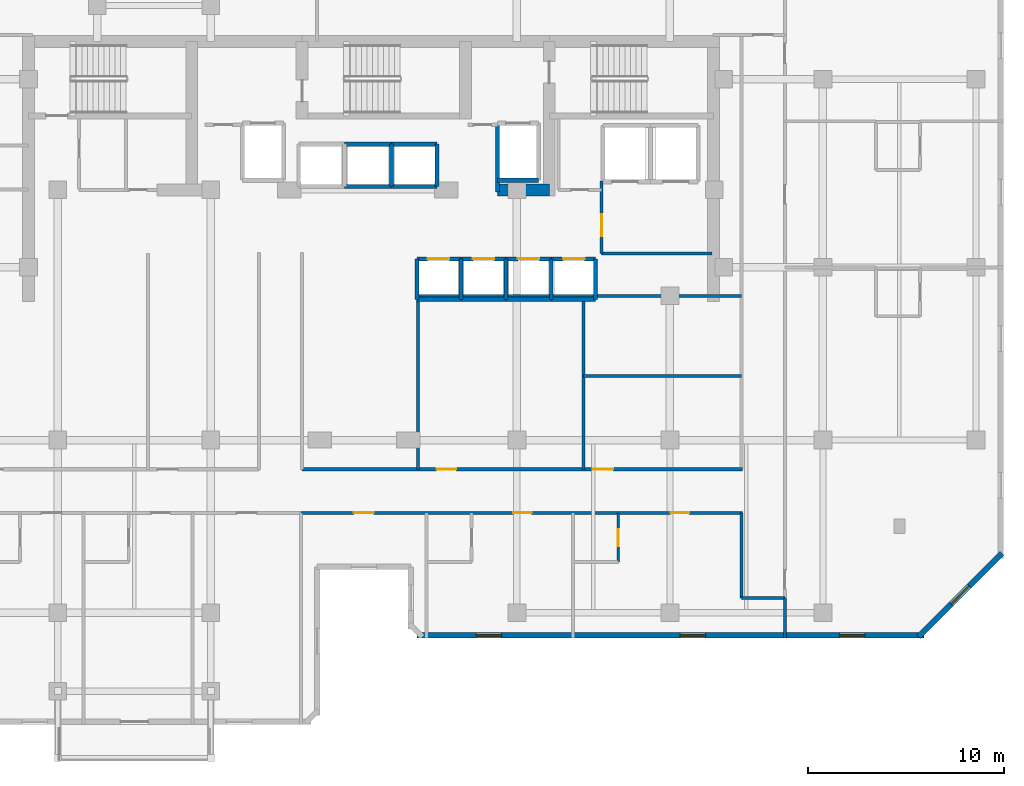
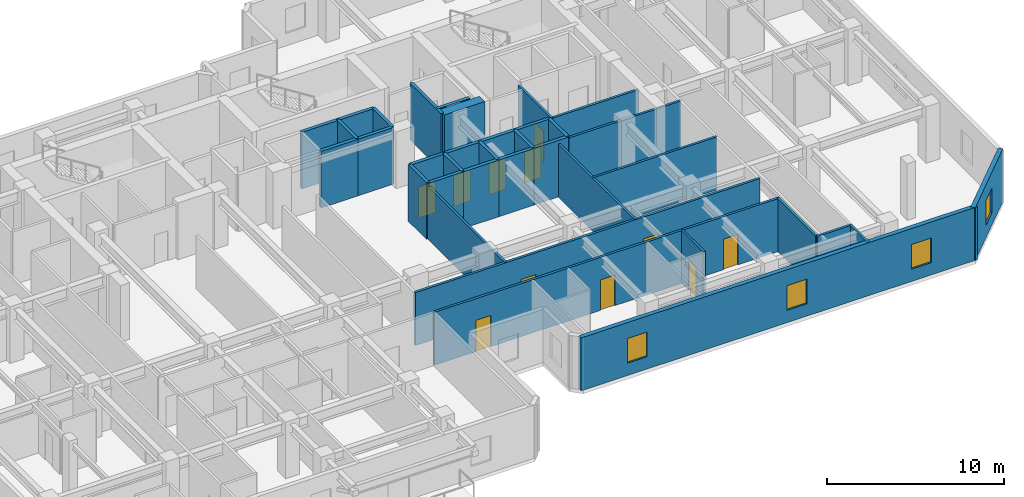
# One storey, part 6 of 11: 36 walls, 11 doors, 4 windows, 15 openings.
"""IFC4 building model written with IfcOpenShell, lengths in metres."""

from ifc_helpers import new_model, si_unit, direction, frame, frame_2d, origin, place, context, subcontext, project, spatial, rectangle, extrude, material, layer, layer_set, type_object, element, fill, save


model = new_model("IFC4")

# Units and contexts
model_context = context("Model", 3, precision=1e-05, world=origin(), true_north=direction((0.0, 1.0)))
body_context = subcontext(model_context, "Body", "Model", "MODEL_VIEW")
ifc_project = project(units=[si_unit("LENGTHUNIT", "METRE"), si_unit("AREAUNIT", "SQUARE_METRE"), si_unit("VOLUMEUNIT", "CUBIC_METRE"), si_unit("PLANEANGLEUNIT", "RADIAN"), si_unit("MASSUNIT", "GRAM", prefix="KILO")], contexts=[model_context])

# Site, building, storey
site_placement = place(None, origin())
site = spatial("IfcSite", under=ifc_project, at=site_placement, CompositionType="ELEMENT")
building_placement = place(site_placement, origin())
building = spatial("IfcBuilding", under=site, at=building_placement, Name="Kestravale Grand Hotel", CompositionType="ELEMENT")
storey_placement = place(building_placement, frame((0.0, 0.0, 200.699951171875)))
storey = spatial("IfcBuildingStorey", under=building, at=storey_placement, Name="L50", CompositionType="ELEMENT", Elevation=200.699951171875)

# Wall
ifc_material_1 = material(Name="Concrete f'c 50 MPa", Category="concrete")
ifc_layer_1 = layer(ifc_material_1, 0.60009765625)
ifc_layer_set_1 = layer_set([ifc_layer_1], Name="EW-CORE-600")
wall_type_1 = type_object("IfcWallType", Name="EW-CORE-600", PredefinedType="SHEAR", material=ifc_layer_set_1)
wall_1_placement = place(storey_placement, frame((45.81005859375, 32.75, 0.0), z_axis=(0.0, 0.0, 1.0), x_axis=(1.0, 0.0, 0.0)))
element("IfcWall", 1, at=wall_1_placement, inside=storey, type_object=wall_type_1, Name="L50 core shear wall S2", PredefinedType="SHEAR", context=body_context, shape_type="SweptSolid", body=[
    extrude(rectangle(XDim=2.639892578125, YDim=0.60009765625, at=frame_2d((1.31982421875, 0.0))), origin(), (0.0, 0.0, 1.0), 3.900146484375),
])

# Wall, openings, windows
ifc_material_2 = material(Name="Precast concrete f'c 45 MPa", Category="concrete")
ifc_layer_2 = layer(ifc_material_2, 0.280029296875)
ifc_layer_set_2 = layer_set([ifc_layer_2], Name="EW-PREC-280")
wall_type_2 = type_object("IfcWallType", Name="EW-PREC-280", PredefinedType="SOLIDWALL", material=ifc_layer_set_2)
wall_2_placement = place(storey_placement, frame((41.7099609375, 10.0400390625, 0.0), z_axis=(0.0, 0.0, 1.0), x_axis=(1.0, 0.0, 0.0)))
wall_2 = element("IfcWall", 2, at=wall_2_placement, inside=storey, type_object=wall_type_2, Name="L50 fluted precast facade wall 7", PredefinedType="SOLIDWALL", context=body_context, shape_type="SweptSolid", body=[
    extrude(rectangle(XDim=25.830078125, YDim=0.280029296875, at=frame_2d((12.9150390625, 0.0))), origin(), (0.0, 0.0, 1.0), 3.650146484375),
])
opening_1_placement = place(wall_2_placement, frame((3.0048828125, 0.0, 0.85009765625)))
opening_1 = element("IfcOpeningElement", 3, at=opening_1_placement, cuts=wall_2, Name="Opening W-GUEST-1300", PredefinedType="OPENING", context=body_context, shape_type="SweptSolid", body=[
    extrude(rectangle(XDim=1.300048828125, YDim=1.699951171875, at=frame_2d((0.64990234375, 0.85009765625))), frame((0.0, 0.14990234375, 0.0), z_axis=(0.0, -1.0, 0.0), x_axis=(1.0, 0.0, 0.0)), (0.0, 0.0, 1.0), 0.300048828125),
])
opening_2_placement = place(wall_2_placement, frame((13.4150390625, 0.0, 0.85009765625)))
opening_2 = element("IfcOpeningElement", 4, at=opening_2_placement, cuts=wall_2, Name="Opening W-GUEST-1300", PredefinedType="OPENING", context=body_context, shape_type="SweptSolid", body=[
    extrude(rectangle(XDim=1.300048828125, YDim=1.699951171875, at=frame_2d((0.64990234375, 0.85009765625))), frame((0.0, 0.14990234375, 0.0), z_axis=(0.0, -1.0, 0.0), x_axis=(1.0, 0.0, 0.0)), (0.0, 0.0, 1.0), 0.300048828125),
])
opening_3_placement = place(wall_2_placement, frame((21.52490234375, 0.0, 0.85009765625)))
opening_3 = element("IfcOpeningElement", 5, at=opening_3_placement, cuts=wall_2, Name="Opening W-GUEST-1300", PredefinedType="OPENING", context=body_context, shape_type="SweptSolid", body=[
    extrude(rectangle(XDim=1.300048828125, YDim=1.699951171875, at=frame_2d((0.64990234375, 0.85009765625))), frame((0.0, 0.14990234375, 0.0), z_axis=(0.0, -1.0, 0.0), x_axis=(1.0, 0.0, 0.0)), (0.0, 0.0, 1.0), 0.300048828125),
])
ifc_material_3 = material(Name="Insulated low-E double glazing in aluminium frame", Category="aluminium")
window_type = type_object("IfcWindowType", Name="W-GUEST-1300", PartitioningType="SINGLE_PANEL", PredefinedType="WINDOW", material=ifc_material_3)
window_1_placement = place(opening_1_placement, origin())
window_1 = element("IfcWindow", 6, at=window_1_placement, inside=storey, type_object=window_type, Name="L50 exterior window 7.1", OverallHeight=1.699951171875, OverallWidth=1.300048828125, PartitioningType="SINGLE_PANEL", PredefinedType="WINDOW", context=body_context, shape_type="SweptSolid", body=[
    extrude(rectangle(XDim=1.300048828125, YDim=1.699951171875, at=frame_2d((0.64990234375, 0.85009765625))), frame((0.0, 0.030029296875, 0.0), z_axis=(0.0, -1.0, 0.0), x_axis=(1.0, 0.0, 0.0)), (0.0, 0.0, 1.0), 0.06005859375),
])
fill(opening_1, window_1)
window_2_placement = place(opening_2_placement, origin())
window_2 = element("IfcWindow", 7, at=window_2_placement, inside=storey, type_object=window_type, Name="L50 exterior window 7.2", OverallHeight=1.699951171875, OverallWidth=1.300048828125, PartitioningType="SINGLE_PANEL", PredefinedType="WINDOW", context=body_context, shape_type="SweptSolid", body=[
    extrude(rectangle(XDim=1.300048828125, YDim=1.699951171875, at=frame_2d((0.64990234375, 0.85009765625))), frame((0.0, 0.030029296875, 0.0), z_axis=(0.0, -1.0, 0.0), x_axis=(1.0, 0.0, 0.0)), (0.0, 0.0, 1.0), 0.06005859375),
])
fill(opening_2, window_2)
window_3_placement = place(opening_3_placement, origin())
window_3 = element("IfcWindow", 8, at=window_3_placement, inside=storey, type_object=window_type, Name="L50 exterior window 7.3", OverallHeight=1.699951171875, OverallWidth=1.300048828125, PartitioningType="SINGLE_PANEL", PredefinedType="WINDOW", context=body_context, shape_type="SweptSolid", body=[
    extrude(rectangle(XDim=1.300048828125, YDim=1.699951171875, at=frame_2d((0.64990234375, 0.85009765625))), frame((0.0, 0.030029296875, 0.0), z_axis=(0.0, -1.0, 0.0), x_axis=(1.0, 0.0, 0.0)), (0.0, 0.0, 1.0), 0.06005859375),
])
fill(opening_3, window_3)

# Wall, opening, window
wall_3_placement = place(storey_placement, frame((67.272705078125, 9.970703125, 0.0), z_axis=(0.0, 0.0, 1.0), x_axis=(0.707106781187, 0.707106781187, 0.0)))
wall_3 = element("IfcWall", 9, at=wall_3_placement, inside=storey, type_object=wall_type_2, Name="L50 fluted precast facade wall 8", PredefinedType="SOLIDWALL", context=body_context, shape_type="SweptSolid", body=[
    extrude(rectangle(XDim=6.019775390625, YDim=0.280029296875, at=frame_2d((3.009765625, 0.0))), origin(), (0.0, 0.0, 1.0), 3.650146484375),
])
opening_4_placement = place(wall_3_placement, frame((2.35986328125, 0.0, 0.85009765625)))
opening_4 = element("IfcOpeningElement", 10, at=opening_4_placement, cuts=wall_3, Name="Opening W-GUEST-1300", PredefinedType="OPENING", context=body_context, shape_type="SweptSolid", body=[
    extrude(rectangle(XDim=1.300048828125, YDim=1.699951171875, at=frame_2d((0.64990234375, 0.85009765625))), frame((0.0, 0.14990234375, 0.0), z_axis=(0.0, -1.0, 0.0), x_axis=(1.0, 0.0, 0.0)), (0.0, 0.0, 1.0), 0.300048828125),
])
window_4_placement = place(opening_4_placement, origin())
window_4 = element("IfcWindow", 11, at=window_4_placement, inside=storey, type_object=window_type, Name="L50 exterior window 8.1", OverallHeight=1.699951171875, OverallWidth=1.300048828125, PartitioningType="SINGLE_PANEL", PredefinedType="WINDOW", context=body_context, shape_type="SweptSolid", body=[
    extrude(rectangle(XDim=1.300048828125, YDim=1.699951171875, at=frame_2d((0.64990234375, 0.85009765625))), frame((0.0, 0.030029296875, 0.0), z_axis=(0.0, -1.0, 0.0), x_axis=(1.0, 0.0, 0.0)), (0.0, 0.0, 1.0), 0.06005859375),
])
fill(opening_4, window_4)

# Wall, opening, door
ifc_material_4 = material(Name="Acoustic fire-rated gypsum board partition", Category="other")
ifc_layer_3 = layer(ifc_material_4, 0.159912109375)
ifc_layer_set_3 = layer_set([ifc_layer_3], Name="IW-CORR-160")
wall_type_3 = type_object("IfcWallType", Name="IW-CORR-160", PredefinedType="PARTITIONING", material=ifc_layer_set_3)
wall_4_placement = place(storey_placement, frame((51.1201171875, 29.5, 0.0), z_axis=(0.0, 0.0, 1.0), x_axis=(0.0, 1.0, 0.0)))
wall_4 = element("IfcWall", 12, at=wall_4_placement, inside=storey, type_object=wall_type_3, Name="W-L50-SVCLOB-W", PredefinedType="PARTITIONING", context=body_context, shape_type="SweptSolid", body=[
    extrude(rectangle(XDim=3.699951171875, YDim=0.159912109375, at=frame_2d((1.85009765625, 0.0))), origin(), (0.0, 0.0, 1.0), 3.650146484375),
])
opening_5_placement = place(wall_4_placement, frame((0.89990234375, 0.0, 0.0)))
opening_5 = element("IfcOpeningElement", 13, at=opening_5_placement, cuts=wall_4, Name="Opening D-CORR-1100", PredefinedType="OPENING", context=body_context, shape_type="SweptSolid", body=[
    extrude(rectangle(XDim=1.10009765625, YDim=2.14990234375, at=frame_2d((0.550048828125, 1.074951171875))), frame((0.0, 0.08984375, 0.0), z_axis=(0.0, -1.0, 0.0), x_axis=(1.0, 0.0, 0.0)), (0.0, 0.0, 1.0), 0.179931640625),
])
ifc_material_5 = material(Name="Single-leaf service vestibule fire door", Category="steel")
door_type_1 = type_object("IfcDoorType", Name="D-CORR-1100", OperationType="NOTDEFINED", PredefinedType="DOOR", material=ifc_material_5)
door_1_placement = place(opening_5_placement, origin())
door_1 = element("IfcDoor", 14, at=door_1_placement, inside=storey, type_object=door_type_1, Name="L50 service lift lobby door", OperationType="SINGLE_SWING_LEFT", OverallHeight=2.14990234375, OverallWidth=1.10009765625, PredefinedType="DOOR", context=body_context, shape_type="SweptSolid", body=[
    extrude(rectangle(XDim=1.10009765625, YDim=2.14990234375, at=frame_2d((0.550048828125, 1.074951171875))), frame((0.0, 0.02490234375, 0.0), z_axis=(0.0, -1.0, 0.0), x_axis=(1.0, 0.0, 0.0)), (0.0, 0.0, 1.0), 0.050048828125),
])
fill(opening_5, door_1)

# Wall
wall_5_placement = place(storey_placement, frame((51.1201171875, 29.5, 0.0), z_axis=(0.0, 0.0, 1.0), x_axis=(1.0, 0.0, 0.0)))
element("IfcWall", 15, at=wall_5_placement, inside=storey, type_object=wall_type_3, Name="L50 service lift lobby wall", PredefinedType="PARTITIONING", context=body_context, shape_type="SweptSolid", body=[
    extrude(rectangle(XDim=5.6298828125, YDim=0.159912109375, at=frame_2d((2.81494140625, 0.0))), origin(), (0.0, 0.0, 1.0), 3.650146484375),
])

# Wall, openings, doors
wall_6_placement = place(storey_placement, frame((35.85009765625, 18.510009765625, 0.0), z_axis=(0.0, 0.0, 1.0), x_axis=(1.0, 0.0, 0.0)))
wall_6 = element("IfcWall", 16, at=wall_6_placement, inside=storey, type_object=wall_type_3, Name="W-L50-CE-N", PredefinedType="PARTITIONING", context=body_context, shape_type="SweptSolid", body=[
    extrude(rectangle(XDim=22.449951171875, YDim=0.159912109375, at=frame_2d((11.22509765625, 0.0))), origin(), (0.0, 0.0, 1.0), 3.650146484375),
])
opening_6_placement = place(wall_6_placement, frame((6.85009765625, 0.0, 0.0)))
opening_6 = element("IfcOpeningElement", 17, at=opening_6_placement, cuts=wall_6, Name="Opening D-GUEST-1000", PredefinedType="OPENING", context=body_context, shape_type="SweptSolid", body=[
    extrude(rectangle(XDim=1.0, YDim=2.14990234375, at=frame_2d((0.5, 1.074951171875))), frame((0.0, 0.08984375, 0.0), z_axis=(0.0, -1.0, 0.0), x_axis=(1.0, 0.0, 0.0)), (0.0, 0.0, 1.0), 0.179931640625),
])
opening_7_placement = place(wall_6_placement, frame((14.85009765625, 0.0, 0.0)))
opening_7 = element("IfcOpeningElement", 18, at=opening_7_placement, cuts=wall_6, Name="Opening D-GUEST-1000", PredefinedType="OPENING", context=body_context, shape_type="SweptSolid", body=[
    extrude(rectangle(XDim=1.0, YDim=2.14990234375, at=frame_2d((0.5, 1.074951171875))), frame((0.0, 0.08984375, 0.0), z_axis=(0.0, -1.0, 0.0), x_axis=(1.0, 0.0, 0.0)), (0.0, 0.0, 1.0), 0.179931640625),
])
ifc_material_6 = material(Name="Accessible walnut veneer hotel entrance fire door", Category="wood")
door_type_2 = type_object("IfcDoorType", Name="D-GUEST-1000", OperationType="NOTDEFINED", PredefinedType="DOOR", material=ifc_material_6)
door_2_placement = place(opening_6_placement, origin())
door_2 = element("IfcDoor", 19, at=door_2_placement, inside=storey, type_object=door_type_2, Name="D-L50-RECL-E1", OperationType="SINGLE_SWING_LEFT", OverallHeight=2.14990234375, OverallWidth=1.0, PredefinedType="DOOR", context=body_context, shape_type="SweptSolid", body=[
    extrude(rectangle(XDim=1.0, YDim=2.14990234375, at=frame_2d((0.5, 1.074951171875))), frame((0.0, 0.02490234375, 0.0), z_axis=(0.0, -1.0, 0.0), x_axis=(1.0, 0.0, 0.0)), (0.0, 0.0, 1.0), 0.050048828125),
])
fill(opening_6, door_2)
door_3_placement = place(opening_7_placement, origin())
door_3 = element("IfcDoor", 20, at=door_3_placement, inside=storey, type_object=door_type_2, Name="D-L50-RECL-E2", OperationType="SINGLE_SWING_RIGHT", OverallHeight=2.14990234375, OverallWidth=1.0, PredefinedType="DOOR", context=body_context, shape_type="SweptSolid", body=[
    extrude(rectangle(XDim=1.0, YDim=2.14990234375, at=frame_2d((0.5, 1.074951171875))), frame((0.0, 0.02490234375, 0.0), z_axis=(0.0, -1.0, 0.0), x_axis=(1.0, 0.0, 0.0)), (0.0, 0.0, 1.0), 0.050048828125),
])
fill(opening_7, door_3)

wall_7_placement = place(storey_placement, frame((35.800048828125, 16.2900390625, 0.0), z_axis=(0.0, 0.0, 1.0), x_axis=(1.0, 0.0, 0.0)))
wall_7 = element("IfcWall", 21, at=wall_7_placement, inside=storey, type_object=wall_type_3, Name="W-L50-CE-S", PredefinedType="PARTITIONING", context=body_context, shape_type="SweptSolid", body=[
    extrude(rectangle(XDim=22.5, YDim=0.159912109375, at=frame_2d((11.25, 0.0))), origin(), (0.0, 0.0, 1.0), 3.650146484375),
])
opening_8_placement = place(wall_7_placement, frame((2.68994140625, 0.0, 0.0)))
opening_8 = element("IfcOpeningElement", 22, at=opening_8_placement, cuts=wall_7, Name="Opening D-GUEST-1000", PredefinedType="OPENING", context=body_context, shape_type="SweptSolid", body=[
    extrude(rectangle(XDim=1.0, YDim=2.14990234375, at=frame_2d((0.5, 1.074951171875))), frame((0.0, 0.08984375, 0.0), z_axis=(0.0, -1.0, 0.0), x_axis=(1.0, 0.0, 0.0)), (0.0, 0.0, 1.0), 0.179931640625),
])
opening_9_placement = place(wall_7_placement, frame((10.800048828125, 0.0, 0.0)))
opening_9 = element("IfcOpeningElement", 23, at=opening_9_placement, cuts=wall_7, Name="Opening D-GUEST-950", PredefinedType="OPENING", context=body_context, shape_type="SweptSolid", body=[
    extrude(rectangle(XDim=0.949951171875, YDim=2.10009765625, at=frame_2d((0.47509765625, 1.050048828125))), frame((0.0, 0.08984375, 0.0), z_axis=(0.0, -1.0, 0.0), x_axis=(1.0, 0.0, 0.0)), (0.0, 0.0, 1.0), 0.179931640625),
])
opening_10_placement = place(wall_7_placement, frame((18.830078125, 0.0, 0.0)))
opening_10 = element("IfcOpeningElement", 24, at=opening_10_placement, cuts=wall_7, Name="Opening D-GUEST-950", PredefinedType="OPENING", context=body_context, shape_type="SweptSolid", body=[
    extrude(rectangle(XDim=0.949951171875, YDim=2.10009765625, at=frame_2d((0.47509765625, 1.050048828125))), frame((0.0, 0.08984375, 0.0), z_axis=(0.0, -1.0, 0.0), x_axis=(1.0, 0.0, 0.0)), (0.0, 0.0, 1.0), 0.179931640625),
])
door_4_placement = place(opening_8_placement, origin())
door_4 = element("IfcDoor", 25, at=door_4_placement, inside=storey, type_object=door_type_2, Name="D-L50-AME", OperationType="SINGLE_SWING_RIGHT", OverallHeight=2.14990234375, OverallWidth=1.0, PredefinedType="DOOR", context=body_context, shape_type="SweptSolid", body=[
    extrude(rectangle(XDim=1.0, YDim=2.14990234375, at=frame_2d((0.5, 1.074951171875))), frame((0.0, 0.02490234375, 0.0), z_axis=(0.0, -1.0, 0.0), x_axis=(1.0, 0.0, 0.0)), (0.0, 0.0, 1.0), 0.050048828125),
])
fill(opening_8, door_4)
ifc_material_7 = material(Name="Walnut veneer hotel guestroom entrance fire door", Category="wood")
door_type_3 = type_object("IfcDoorType", Name="D-GUEST-950", OperationType="NOTDEFINED", PredefinedType="DOOR", material=ifc_material_7)
door_5_placement = place(opening_9_placement, origin())
door_5 = element("IfcDoor", 26, at=door_5_placement, inside=storey, type_object=door_type_3, Name="D-L50-U03-ENT", OperationType="SINGLE_SWING_RIGHT", OverallHeight=2.10009765625, OverallWidth=0.949951171875, PredefinedType="DOOR", context=body_context, shape_type="SweptSolid", body=[
    extrude(rectangle(XDim=0.949951171875, YDim=2.10009765625, at=frame_2d((0.47509765625, 1.050048828125))), frame((0.0, 0.02490234375, 0.0), z_axis=(0.0, -1.0, 0.0), x_axis=(1.0, 0.0, 0.0)), (0.0, 0.0, 1.0), 0.050048828125),
])
fill(opening_9, door_5)
door_6_placement = place(opening_10_placement, origin())
door_6 = element("IfcDoor", 27, at=door_6_placement, inside=storey, type_object=door_type_3, Name="D-L50-U04-ENT", OperationType="SINGLE_SWING_RIGHT", OverallHeight=2.10009765625, OverallWidth=0.949951171875, PredefinedType="DOOR", context=body_context, shape_type="SweptSolid", body=[
    extrude(rectangle(XDim=0.949951171875, YDim=2.10009765625, at=frame_2d((0.47509765625, 1.050048828125))), frame((0.0, 0.02490234375, 0.0), z_axis=(0.0, -1.0, 0.0), x_axis=(1.0, 0.0, 0.0)), (0.0, 0.0, 1.0), 0.050048828125),
])
fill(opening_10, door_6)

# Wall
wall_8_placement = place(storey_placement, frame((58.239990234375, 11.949951171875, 0.0), z_axis=(0.0, 0.0, 1.0), x_axis=(0.0, 1.0, 0.0)))
element("IfcWall", 28, at=wall_8_placement, inside=storey, type_object=wall_type_3, Name="W-L50-SE-W", PredefinedType="PARTITIONING", context=body_context, shape_type="SweptSolid", body=[
    extrude(rectangle(XDim=4.340087890625, YDim=0.159912109375, at=frame_2d((2.169921875, 0.0))), origin(), (0.0, 0.0, 1.0), 3.650146484375),
])

# Wall, opening, door
ifc_material_8 = material(Name="Moisture-resistant tile-backer plumbing chase wall", Category="other")
ifc_layer_4 = layer(ifc_material_8, 0.139892578125)
ifc_layer_set_4 = layer_set([ifc_layer_4], Name="IW-PLB-140")
wall_type_4 = type_object("IfcWallType", Name="IW-PLB-140", PredefinedType="PLUMBINGWALL", material=ifc_layer_set_4)
wall_9_placement = place(storey_placement, frame((51.969970703125, 13.780029296875, 0.0), z_axis=(0.0, 0.0, 1.0), x_axis=(0.0, 1.0, 0.0)))
wall_9 = element("IfcWall", 29, at=wall_9_placement, inside=storey, type_object=wall_type_4, Name="W-L50-U04-BE", PredefinedType="PLUMBINGWALL", context=body_context, shape_type="SweptSolid", body=[
    extrude(rectangle(XDim=2.489990234375, YDim=0.139892578125, at=frame_2d((1.2451171875, 0.0))), origin(), (0.0, 0.0, 1.0), 3.650146484375),
])
opening_11_placement = place(wall_9_placement, frame((0.804931640625, 0.0, 0.0)))
opening_11 = element("IfcOpeningElement", 30, at=opening_11_placement, cuts=wall_9, Name="Opening D-BATH-880", PredefinedType="OPENING", context=body_context, shape_type="SweptSolid", body=[
    extrude(rectangle(XDim=0.8798828125, YDim=2.050048828125, at=frame_2d((0.43994140625, 1.02490234375))), frame((0.0, 0.079833984375, 0.0), z_axis=(0.0, -1.0, 0.0), x_axis=(1.0, 0.0, 0.0)), (0.0, 0.0, 1.0), 0.159912109375),
])
ifc_material_9 = material(Name="Moisture-sealed walnut en-suite bathroom door", Category="wood")
door_type_4 = type_object("IfcDoorType", Name="D-BATH-880", OperationType="NOTDEFINED", PredefinedType="DOOR", material=ifc_material_9)
door_7_placement = place(opening_11_placement, origin())
door_7 = element("IfcDoor", 31, at=door_7_placement, inside=storey, type_object=door_type_4, Name="D-L50-U04-BATH", OperationType="SINGLE_SWING_LEFT", OverallHeight=2.050048828125, OverallWidth=0.8798828125, PredefinedType="DOOR", context=body_context, shape_type="SweptSolid", body=[
    extrude(rectangle(XDim=0.8798828125, YDim=2.050048828125, at=frame_2d((0.43994140625, 1.02490234375))), frame((0.0, 0.02490234375, 0.0), z_axis=(0.0, -1.0, 0.0), x_axis=(1.0, 0.0, 0.0)), (0.0, 0.0, 1.0), 0.050048828125),
])
fill(opening_11, door_7)

# Walls
ifc_material_10 = material(Name="Concrete f'c 45 MPa", Category="concrete")
ifc_layer_5 = layer(ifc_material_10, 0.199951171875)
ifc_layer_set_5 = layer_set([ifc_layer_5], Name="IW-SHAFT-200")
wall_type_5 = type_object("IfcWallType", Name="IW-SHAFT-200", PredefinedType="SHEAR", material=ifc_layer_set_5)
for number, where, z_axis, x_axis, name in (
    (32, (41.705078125, 27.169921875, 0.0), (0.0, 0.0, 1.0), (0.0, 1.0, 0.0), "L50 PL-M1 west shaft wall"),
    (33, (43.949951171875, 27.169921875, 0.0), (0.0, 0.0, 1.0), (0.0, 1.0, 0.0), "L50 PL-M2 west shaft wall"),
    (34, (46.25, 27.169921875, 0.0), (0.0, 0.0, 1.0), (0.0, 1.0, 0.0), "L50 PL-M3 west shaft wall"),
    (35, (48.550048828125, 27.169921875, 0.0), (0.0, 0.0, 1.0), (0.0, 1.0, 0.0), "L50 PL-M4 west shaft wall"),
    (36, (50.794921875, 27.169921875, 0.0), (0.0, 0.0, 1.0), (0.0, 1.0, 0.0), "L50 PL-M4 east shaft wall"),
):
    element("IfcWall", number, at=place(storey_placement, frame(where, z_axis=z_axis, x_axis=x_axis)), inside=storey, type_object=wall_type_5, Name=name, PredefinedType="SHEAR", context=body_context, shape_type="SweptSolid", body=[
        extrude(rectangle(XDim=2.06005859375, YDim=0.199951171875, at=frame_2d((1.030029296875, 0.0))), origin(), (0.0, 0.0, 1.0), 3.900146484375),
    ])
for number, where, z_axis, x_axis, name in (
    (37, (40.39990234375, 32.919921875, 0.0), (0.0, 0.0, 1.0), (0.0, 1.0, 0.0), "L50 PL-X3 west shaft wall"),
    (38, (42.719970703125, 32.919921875, 0.0), (0.0, 0.0, 1.0), (0.0, 1.0, 0.0), "L50 PL-X3 east shaft wall"),
):
    element("IfcWall", number, at=place(storey_placement, frame(where, z_axis=z_axis, x_axis=x_axis)), inside=storey, type_object=wall_type_5, Name=name, PredefinedType="SHEAR", context=body_context, shape_type="SweptSolid", body=[
        extrude(rectangle(XDim=2.16015625, YDim=0.199951171875, at=frame_2d((1.080078125, 0.0))), origin(), (0.0, 0.0, 1.0), 3.900146484375),
    ])
wall_10_placement = place(storey_placement, frame((45.804931640625, 32.64990234375, 0.0), z_axis=(0.0, 0.0, 1.0), x_axis=(0.0, 1.0, 0.0)))
element("IfcWall", 39, at=wall_10_placement, inside=storey, type_object=wall_type_5, Name="L50 FL-2 west shaft wall", PredefinedType="SHEAR", context=body_context, shape_type="SweptSolid", body=[
    extrude(rectangle(XDim=3.505126953125, YDim=0.199951171875, at=frame_2d((1.75244140625, 0.0))), origin(), (0.0, 0.0, 1.0), 3.900146484375),
])

# Wall, opening, door
ifc_material_11 = material(Name="Concrete f'c 45 MPa", Category="concrete")
ifc_layer_6 = layer(ifc_material_11, 0.219970703125)
ifc_layer_set_6 = layer_set([ifc_layer_6], Name="IW-SHAFT-220")
wall_type_6 = type_object("IfcWallType", Name="IW-SHAFT-220", PredefinedType="SHEAR", material=ifc_layer_set_6)
wall_11_placement = place(storey_placement, frame((41.705078125, 29.22998046875, 0.0), z_axis=(0.0, 0.0, 1.0), x_axis=(1.0, 0.0, 0.0)))
wall_11 = element("IfcWall", 40, at=wall_11_placement, inside=storey, type_object=wall_type_6, Name="L50 PL-M1 north shaft wall", PredefinedType="SHEAR", context=body_context, shape_type="SweptSolid", body=[
    extrude(rectangle(XDim=2.244873046875, YDim=0.219970703125, at=frame_2d((1.12255859375, 0.0))), origin(), (0.0, 0.0, 1.0), 3.900146484375),
])
opening_12_placement = place(wall_11_placement, frame((0.544921875, 0.0, 0.0)))
opening_12 = element("IfcOpeningElement", 41, at=opening_12_placement, cuts=wall_11, Name="Opening LD-PAX-1100", PredefinedType="OPENING", context=body_context, shape_type="SweptSolid", body=[
    extrude(rectangle(XDim=1.10009765625, YDim=2.14990234375, at=frame_2d((0.550048828125, 1.074951171875))), frame((0.0, 0.119873046875, 0.0), z_axis=(0.0, -1.0, 0.0), x_axis=(1.0, 0.0, 0.0)), (0.0, 0.0, 1.0), 0.239990234375),
])
ifc_material_12 = material(Name="Champagne-bronze center-opening sliding elevator landing door", Category="steel")
door_type_5 = type_object("IfcDoorType", Name="LD-PAX-1100", OperationType="NOTDEFINED", PredefinedType="DOOR", material=ifc_material_12)
door_8_placement = place(opening_12_placement, origin())
door_8 = element("IfcDoor", 42, at=door_8_placement, inside=storey, type_object=door_type_5, Name="L50 PL-M1 elevator landing sliding door", OperationType="DOUBLE_DOOR_SLIDING", OverallHeight=2.14990234375, OverallWidth=1.10009765625, PredefinedType="DOOR", context=body_context, shape_type="SweptSolid", body=[
    extrude(rectangle(XDim=1.10009765625, YDim=2.14990234375, at=frame_2d((0.550048828125, 1.074951171875))), frame((0.0, 0.02490234375, 0.0), z_axis=(0.0, -1.0, 0.0), x_axis=(1.0, 0.0, 0.0)), (0.0, 0.0, 1.0), 0.050048828125),
])
fill(opening_12, door_8)

# Wall
wall_12_placement = place(storey_placement, frame((41.705078125, 27.169921875, 0.0), z_axis=(0.0, 0.0, 1.0), x_axis=(1.0, 0.0, 0.0)))
element("IfcWall", 43, at=wall_12_placement, inside=storey, type_object=wall_type_6, Name="L50 PL-M1 south shaft wall", PredefinedType="SHEAR", context=body_context, shape_type="SweptSolid", body=[
    extrude(rectangle(XDim=2.244873046875, YDim=0.219970703125, at=frame_2d((1.12255859375, 0.0))), origin(), (0.0, 0.0, 1.0), 3.900146484375),
])

# Wall, opening, door
wall_13_placement = place(storey_placement, frame((43.949951171875, 29.22998046875, 0.0), z_axis=(0.0, 0.0, 1.0), x_axis=(1.0, 0.0, 0.0)))
wall_13 = element("IfcWall", 44, at=wall_13_placement, inside=storey, type_object=wall_type_6, Name="L50 PL-M2 north shaft wall", PredefinedType="SHEAR", context=body_context, shape_type="SweptSolid", body=[
    extrude(rectangle(XDim=2.300048828125, YDim=0.219970703125, at=frame_2d((1.14990234375, 0.0))), origin(), (0.0, 0.0, 1.0), 3.900146484375),
])
opening_13_placement = place(wall_13_placement, frame((0.60009765625, 0.0, 0.0)))
opening_13 = element("IfcOpeningElement", 45, at=opening_13_placement, cuts=wall_13, Name="Opening LD-PAX-1100", PredefinedType="OPENING", context=body_context, shape_type="SweptSolid", body=[
    extrude(rectangle(XDim=1.10009765625, YDim=2.14990234375, at=frame_2d((0.550048828125, 1.074951171875))), frame((0.0, 0.119873046875, 0.0), z_axis=(0.0, -1.0, 0.0), x_axis=(1.0, 0.0, 0.0)), (0.0, 0.0, 1.0), 0.239990234375),
])
door_9_placement = place(opening_13_placement, origin())
door_9 = element("IfcDoor", 46, at=door_9_placement, inside=storey, type_object=door_type_5, Name="L50 PL-M2 elevator landing sliding door", OperationType="DOUBLE_DOOR_SLIDING", OverallHeight=2.14990234375, OverallWidth=1.10009765625, PredefinedType="DOOR", context=body_context, shape_type="SweptSolid", body=[
    extrude(rectangle(XDim=1.10009765625, YDim=2.14990234375, at=frame_2d((0.550048828125, 1.074951171875))), frame((0.0, 0.02490234375, 0.0), z_axis=(0.0, -1.0, 0.0), x_axis=(1.0, 0.0, 0.0)), (0.0, 0.0, 1.0), 0.050048828125),
])
fill(opening_13, door_9)

# Wall
wall_14_placement = place(storey_placement, frame((43.949951171875, 27.169921875, 0.0), z_axis=(0.0, 0.0, 1.0), x_axis=(1.0, 0.0, 0.0)))
element("IfcWall", 47, at=wall_14_placement, inside=storey, type_object=wall_type_6, Name="L50 PL-M2 south shaft wall", PredefinedType="SHEAR", context=body_context, shape_type="SweptSolid", body=[
    extrude(rectangle(XDim=2.300048828125, YDim=0.219970703125, at=frame_2d((1.14990234375, 0.0))), origin(), (0.0, 0.0, 1.0), 3.900146484375),
])

# Wall, opening, door
wall_15_placement = place(storey_placement, frame((46.25, 29.22998046875, 0.0), z_axis=(0.0, 0.0, 1.0), x_axis=(1.0, 0.0, 0.0)))
wall_15 = element("IfcWall", 48, at=wall_15_placement, inside=storey, type_object=wall_type_6, Name="L50 PL-M3 north shaft wall", PredefinedType="SHEAR", context=body_context, shape_type="SweptSolid", body=[
    extrude(rectangle(XDim=2.300048828125, YDim=0.219970703125, at=frame_2d((1.14990234375, 0.0))), origin(), (0.0, 0.0, 1.0), 3.900146484375),
])
opening_14_placement = place(wall_15_placement, frame((0.60009765625, 0.0, 0.0)))
opening_14 = element("IfcOpeningElement", 49, at=opening_14_placement, cuts=wall_15, Name="Opening LD-PAX-1100", PredefinedType="OPENING", context=body_context, shape_type="SweptSolid", body=[
    extrude(rectangle(XDim=1.10009765625, YDim=2.14990234375, at=frame_2d((0.550048828125, 1.074951171875))), frame((0.0, 0.119873046875, 0.0), z_axis=(0.0, -1.0, 0.0), x_axis=(1.0, 0.0, 0.0)), (0.0, 0.0, 1.0), 0.239990234375),
])
door_10_placement = place(opening_14_placement, origin())
door_10 = element("IfcDoor", 50, at=door_10_placement, inside=storey, type_object=door_type_5, Name="L50 PL-M3 elevator landing sliding door", OperationType="DOUBLE_DOOR_SLIDING", OverallHeight=2.14990234375, OverallWidth=1.10009765625, PredefinedType="DOOR", context=body_context, shape_type="SweptSolid", body=[
    extrude(rectangle(XDim=1.10009765625, YDim=2.14990234375, at=frame_2d((0.550048828125, 1.074951171875))), frame((0.0, 0.02490234375, 0.0), z_axis=(0.0, -1.0, 0.0), x_axis=(1.0, 0.0, 0.0)), (0.0, 0.0, 1.0), 0.050048828125),
])
fill(opening_14, door_10)

# Wall
wall_16_placement = place(storey_placement, frame((46.25, 27.169921875, 0.0), z_axis=(0.0, 0.0, 1.0), x_axis=(1.0, 0.0, 0.0)))
element("IfcWall", 51, at=wall_16_placement, inside=storey, type_object=wall_type_6, Name="L50 PL-M3 south shaft wall", PredefinedType="SHEAR", context=body_context, shape_type="SweptSolid", body=[
    extrude(rectangle(XDim=2.300048828125, YDim=0.219970703125, at=frame_2d((1.14990234375, 0.0))), origin(), (0.0, 0.0, 1.0), 3.900146484375),
])

# Wall, opening, door
wall_17_placement = place(storey_placement, frame((48.550048828125, 29.22998046875, 0.0), z_axis=(0.0, 0.0, 1.0), x_axis=(1.0, 0.0, 0.0)))
wall_17 = element("IfcWall", 52, at=wall_17_placement, inside=storey, type_object=wall_type_6, Name="L50 PL-M4 north shaft wall", PredefinedType="SHEAR", context=body_context, shape_type="SweptSolid", body=[
    extrude(rectangle(XDim=2.244873046875, YDim=0.219970703125, at=frame_2d((1.12255859375, 0.0))), origin(), (0.0, 0.0, 1.0), 3.900146484375),
])
opening_15_placement = place(wall_17_placement, frame((0.60009765625, 0.0, 0.0)))
opening_15 = element("IfcOpeningElement", 53, at=opening_15_placement, cuts=wall_17, Name="Opening LD-PAX-1100", PredefinedType="OPENING", context=body_context, shape_type="SweptSolid", body=[
    extrude(rectangle(XDim=1.10009765625, YDim=2.14990234375, at=frame_2d((0.550048828125, 1.074951171875))), frame((0.0, 0.119873046875, 0.0), z_axis=(0.0, -1.0, 0.0), x_axis=(1.0, 0.0, 0.0)), (0.0, 0.0, 1.0), 0.239990234375),
])
door_11_placement = place(opening_15_placement, origin())
door_11 = element("IfcDoor", 54, at=door_11_placement, inside=storey, type_object=door_type_5, Name="L50 PL-M4 elevator landing sliding door", OperationType="DOUBLE_DOOR_SLIDING", OverallHeight=2.14990234375, OverallWidth=1.10009765625, PredefinedType="DOOR", context=body_context, shape_type="SweptSolid", body=[
    extrude(rectangle(XDim=1.10009765625, YDim=2.14990234375, at=frame_2d((0.550048828125, 1.074951171875))), frame((0.0, 0.02490234375, 0.0), z_axis=(0.0, -1.0, 0.0), x_axis=(1.0, 0.0, 0.0)), (0.0, 0.0, 1.0), 0.050048828125),
])
fill(opening_15, door_11)

# Walls
wall_18_placement = place(storey_placement, frame((48.550048828125, 27.169921875, 0.0), z_axis=(0.0, 0.0, 1.0), x_axis=(1.0, 0.0, 0.0)))
element("IfcWall", 55, at=wall_18_placement, inside=storey, type_object=wall_type_6, Name="L50 PL-M4 south shaft wall", PredefinedType="SHEAR", context=body_context, shape_type="SweptSolid", body=[
    extrude(rectangle(XDim=2.244873046875, YDim=0.219970703125, at=frame_2d((1.12255859375, 0.0))), origin(), (0.0, 0.0, 1.0), 3.900146484375),
])
for number, where, z_axis, x_axis, name in (
    (56, (38.0, 35.080078125, 0.0), (0.0, 0.0, 1.0), (1.0, 0.0, 0.0), "L50 PL-X2 north shaft wall"),
    (57, (38.0, 32.919921875, 0.0), (0.0, 0.0, 1.0), (1.0, 0.0, 0.0), "L50 PL-X2 south shaft wall"),
):
    element("IfcWall", number, at=place(storey_placement, frame(where, z_axis=z_axis, x_axis=x_axis)), inside=storey, type_object=wall_type_6, Name=name, PredefinedType="SHEAR", context=body_context, shape_type="SweptSolid", body=[
        extrude(rectangle(XDim=2.39990234375, YDim=0.219970703125, at=frame_2d((1.199951171875, 0.0))), origin(), (0.0, 0.0, 1.0), 3.900146484375),
    ])
for number, where, z_axis, x_axis, name in (
    (58, (40.39990234375, 35.080078125, 0.0), (0.0, 0.0, 1.0), (1.0, 0.0, 0.0), "L50 PL-X3 north shaft wall"),
    (59, (40.39990234375, 32.919921875, 0.0), (0.0, 0.0, 1.0), (1.0, 0.0, 0.0), "L50 PL-X3 south shaft wall"),
):
    element("IfcWall", number, at=place(storey_placement, frame(where, z_axis=z_axis, x_axis=x_axis)), inside=storey, type_object=wall_type_6, Name=name, PredefinedType="SHEAR", context=body_context, shape_type="SweptSolid", body=[
        extrude(rectangle(XDim=2.320068359375, YDim=0.219970703125, at=frame_2d((1.16015625, 0.0))), origin(), (0.0, 0.0, 1.0), 3.900146484375),
    ])
wall_19_placement = place(storey_placement, frame((45.804931640625, 33.2451171875, 0.0), z_axis=(0.0, 0.0, 1.0), x_axis=(1.0, 0.0, 0.0)))
element("IfcWall", 60, at=wall_19_placement, inside=storey, type_object=wall_type_6, Name="L50 FL-2 south shaft wall", PredefinedType="SHEAR", context=body_context, shape_type="SweptSolid", body=[
    extrude(rectangle(XDim=2.090087890625, YDim=0.219970703125, at=frame_2d((1.044921875, 0.0))), origin(), (0.0, 0.0, 1.0), 3.900146484375),
])
ifc_material_13 = material(Name="Double-stud STC 52 acoustic demising partition", Category="other")
ifc_layer_7 = layer(ifc_material_13, 0.14990234375)
ifc_layer_set_7 = layer_set([ifc_layer_7], Name="IW-UNIT-150")
wall_type_7 = type_object("IfcWallType", Name="IW-UNIT-150", PredefinedType="PARTITIONING", material=ifc_layer_set_7)
wall_20_placement = place(storey_placement, frame((58.239990234375, 11.949951171875, 0.0), z_axis=(0.0, 0.0, 1.0), x_axis=(1.0, 0.0, 0.0)))
element("IfcWall", 61, at=wall_20_placement, inside=storey, type_object=wall_type_7, Name="W-L50-SE-S", PredefinedType="PARTITIONING", context=body_context, shape_type="SweptSolid", body=[
    extrude(rectangle(XDim=2.219970703125, YDim=0.14990234375, at=frame_2d((1.10986328125, 0.0))), origin(), (0.0, 0.0, 1.0), 3.650146484375),
])
wall_21_placement = place(storey_placement, frame((41.75, 18.510009765625, 0.0), z_axis=(0.0, 0.0, 1.0), x_axis=(0.0, 1.0, 0.0)))
element("IfcWall", 62, at=wall_21_placement, inside=storey, type_object=wall_type_7, Name="W-L50-RCLE-W", PredefinedType="PARTITIONING", context=body_context, shape_type="SweptSolid", body=[
    extrude(rectangle(XDim=8.659912109375, YDim=0.14990234375, at=frame_2d((4.330078125, 0.0))), origin(), (0.0, 0.0, 1.0), 3.650146484375),
])
wall_22_placement = place(storey_placement, frame((50.199951171875, 18.510009765625, 0.0), z_axis=(0.0, 0.0, 1.0), x_axis=(0.0, 1.0, 0.0)))
element("IfcWall", 63, at=wall_22_placement, inside=storey, type_object=wall_type_7, Name="W-L50-RCLE-M", PredefinedType="PARTITIONING", context=body_context, shape_type="SweptSolid", body=[
    extrude(rectangle(XDim=8.639892578125, YDim=0.14990234375, at=frame_2d((4.31982421875, 0.0))), origin(), (0.0, 0.0, 1.0), 3.650146484375),
])
wall_23_placement = place(storey_placement, frame((41.75, 27.35009765625, 0.0), z_axis=(0.0, 0.0, 1.0), x_axis=(1.0, 0.0, 0.0)))
element("IfcWall", 64, at=wall_23_placement, inside=storey, type_object=wall_type_7, Name="W-L50-RCLE-N", PredefinedType="PARTITIONING", context=body_context, shape_type="SweptSolid", body=[
    extrude(rectangle(XDim=16.489990234375, YDim=0.14990234375, at=frame_2d((8.2451171875, 0.0))), origin(), (0.0, 0.0, 1.0), 3.650146484375),
])
wall_24_placement = place(storey_placement, frame((50.199951171875, 23.27001953125, 0.0), z_axis=(0.0, 0.0, 1.0), x_axis=(1.0, 0.0, 0.0)))
element("IfcWall", 65, at=wall_24_placement, inside=storey, type_object=wall_type_7, Name="W-L50-RCLE-H", PredefinedType="PARTITIONING", context=body_context, shape_type="SweptSolid", body=[
    extrude(rectangle(XDim=8.0400390625, YDim=0.14990234375, at=frame_2d((4.02001953125, 0.0))), origin(), (0.0, 0.0, 1.0), 3.650146484375),
])
wall_25_placement = place(storey_placement, frame((60.4599609375, 9.919921875, 0.0), z_axis=(0.0, 0.0, 1.0), x_axis=(0.0, 1.0, 0.0)))
element("IfcWall", 66, at=wall_25_placement, inside=storey, type_object=wall_type_7, Name="W-L50-SE-EXT", PredefinedType="PARTITIONING", context=body_context, shape_type="SweptSolid", body=[
    extrude(rectangle(XDim=2.030029296875, YDim=0.14990234375, at=frame_2d((1.01513671875, 0.0))), origin(), (0.0, 0.0, 1.0), 3.650146484375),
])

save(model, "model.ifc")
